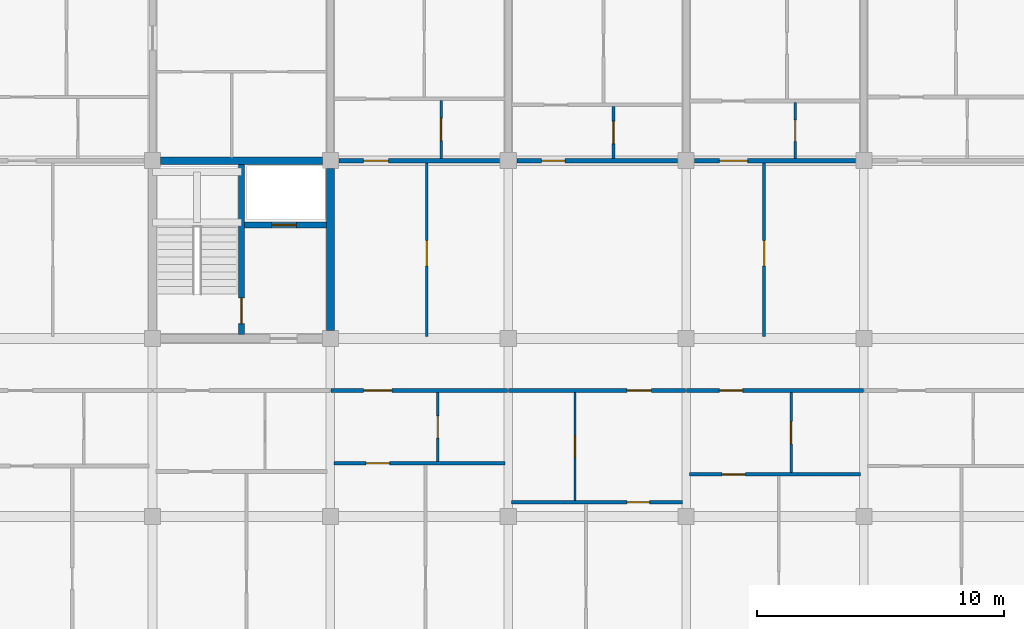
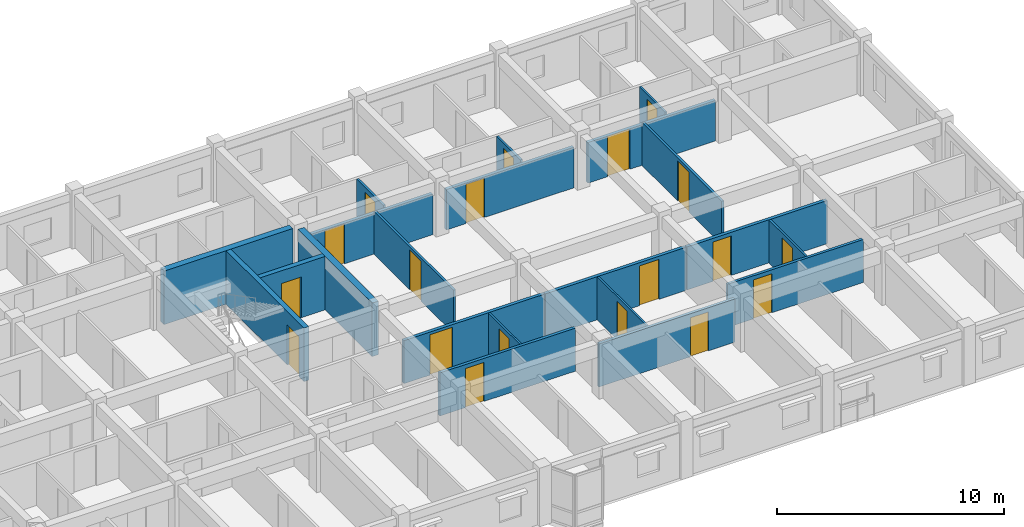
# One storey, part 109 of 124: 21 walls, 19 doors, 19 openings.
"""IFC4 building model written with IfcOpenShell, lengths in metres."""

import ifcopenshell
import ifcopenshell.guid

model = None  # the IFC model being written
_history = None  # IfcOwnerHistory: only IFC2X3 demands one
_inside = {}  # id of a spatial element -> (the spatial element, [elements in it])
_under = {}  # id of a project, library or spatial element -> (it, [spatial elements below it])
_declared = {}  # id of a project -> (the project, [libraries it declares])
_typed = {}  # id of a type object -> (the type object, [elements of that type])
_made_of = {}  # id of a material, layer set ... -> (it, [elements and type objects made of it])


def new_model(schema):
    """Start an empty IFC model of exactly this schema.

    Asked for "IFC4X3", IfcOpenShell would pick the latest addendum, in which some entities
    have other attributes; the version numbers below select the first issue.
    IFC2X3 requires an IfcOwnerHistory on every rooted entity: one is made here for all.
    """
    global model, _history
    if schema == "IFC4X3":
        model = ifcopenshell.file(schema_version=(4, 3, 0, 0))
    else:
        model = ifcopenshell.file(schema=schema)
    _inside.clear()
    _under.clear()
    _declared.clear()
    _typed.clear()
    _made_of.clear()
    _history = None
    if model.schema == "IFC2X3":
        org = make("IfcOrganization", Name="unknown")
        user = make(
            "IfcPersonAndOrganization",
            ThePerson=make("IfcPerson", FamilyName="unknown"),
            TheOrganization=org,
        )
        app = make(
            "IfcApplication",
            ApplicationDeveloper=org,
            Version="unknown",
            ApplicationFullName="unknown",
            ApplicationIdentifier="unknown",
        )
        _history = make(
            "IfcOwnerHistory",
            OwningUser=user,
            OwningApplication=app,
            ChangeAction="ADDED",
            CreationDate=0,
        )
    return model


def make(cls, **values):
    """One entity of the class cls with the attributes given. An attribute that is None is left unset."""
    return model.create_entity(
        cls, **{name: value for name, value in values.items() if value is not None}
    )


def rooted(cls, **values):
    """An entity with a GlobalId (a new one), such as an element, a storey or a relation."""
    return make(cls, GlobalId=ifcopenshell.guid.new(), OwnerHistory=_history, **values)


def si_unit(unit_type, name, prefix=None):
    """IfcSIUnit, for example si_unit("LENGTHUNIT", "METRE", prefix="MILLI")."""
    return make("IfcSIUnit", UnitType=unit_type, Prefix=prefix, Name=name)


def assignment(units):
    """IfcUnitAssignment: the units of a project."""
    return None if units is None else make("IfcUnitAssignment", Units=units)


def point(xyz):
    """IfcCartesianPoint."""
    return None if xyz is None else make("IfcCartesianPoint", Coordinates=xyz)


def direction(xyz):
    """IfcDirection."""
    return None if xyz is None else make("IfcDirection", DirectionRatios=xyz)


def frame(location, z_axis=None, x_axis=None):
    """IfcAxis2Placement3D, a coordinate frame: its origin and axes. An axis left out is left unset."""
    return make(
        "IfcAxis2Placement3D",
        Location=point(location),
        Axis=direction(z_axis),
        RefDirection=direction(x_axis),
    )


def frame_2d(location, x_axis=None):
    """IfcAxis2Placement2D, a coordinate frame in the plane: its origin and x axis."""
    return make(
        "IfcAxis2Placement2D", Location=point(location), RefDirection=direction(x_axis)
    )


def origin():
    """The frame at (0, 0, 0) with its axes left unset."""
    return frame((0.0, 0.0, 0.0))


def place(relative_to, where):
    """IfcLocalPlacement: puts the frame where relative to a parent placement (None: the world)."""
    return make(
        "IfcLocalPlacement", PlacementRelTo=relative_to, RelativePlacement=where
    )


def context(
    kind, dimensions, precision=None, world=None, true_north=None, identifier=None
):
    """IfcGeometricRepresentationContext, for example the 3D "Model" context."""
    return make(
        "IfcGeometricRepresentationContext",
        ContextIdentifier=identifier,
        ContextType=kind,
        CoordinateSpaceDimension=dimensions,
        Precision=precision,
        WorldCoordinateSystem=world,
        TrueNorth=true_north,
    )


def subcontext(parent, identifier, kind, view, scale=None):
    """IfcGeometricRepresentationSubContext, for example "Body" below "Model"."""
    return make(
        "IfcGeometricRepresentationSubContext",
        ContextIdentifier=identifier,
        ContextType=kind,
        ParentContext=parent,
        TargetScale=scale,
        TargetView=view,
    )


def project(units=None, contexts=None):
    """IfcProject with its units and contexts."""
    return rooted(
        "IfcProject",
        Name="project",
        RepresentationContexts=contexts,
        UnitsInContext=assignment(units),
    )


def spatial(cls, under=None, at=None, **own):
    """A site, building, storey or space (cls), placed at a placement, below another one or the project."""
    s = rooted(cls, ObjectPlacement=at, **own)
    if under is not None:
        _under.setdefault(under.id(), (under, []))[1].append(s)
    return s


def profile(cls, at=None, kind="AREA", **sizes):
    """A parametric profile (cls). Its sizes go by their IFC names, for example OverallWidth=200.0."""
    return make(cls, ProfileType=kind, Position=at, **sizes)


def rectangle(**sizes):
    """IfcRectangleProfileDef."""
    return profile("IfcRectangleProfileDef", **sizes)


def extrude(swept, where, along, depth):
    """IfcExtrudedAreaSolid: the profile swept, set in the frame where, extruded along a direction by depth."""
    return make(
        "IfcExtrudedAreaSolid",
        SweptArea=swept,
        Position=where,
        ExtrudedDirection=direction(along),
        Depth=depth,
    )


def shape(context_of_items, identifier, shape_type, items):
    """IfcShapeRepresentation: the items that make up one representation, for example the "Body"."""
    return make(
        "IfcShapeRepresentation",
        ContextOfItems=context_of_items,
        RepresentationIdentifier=identifier,
        RepresentationType=shape_type,
        Items=items,
    )


def material(Name=None, Category=None):
    """IfcMaterial."""
    return make("IfcMaterial", Name=Name, Category=Category)


def layer(
    of_material, thickness, ventilated=None, Name=None, Category=None, Priority=None
):
    """IfcMaterialLayer: one layer of a wall or slab, of a material (None: an air gap)."""
    return make(
        "IfcMaterialLayer",
        Material=of_material,
        LayerThickness=thickness,
        IsVentilated=ventilated,
        Name=Name,
        Category=Category,
        Priority=Priority,
    )


def layer_set(layers, Name=None):
    """IfcMaterialLayerSet."""
    return make("IfcMaterialLayerSet", MaterialLayers=layers, LayerSetName=Name)


def made_of(thing, what):
    """Note that an element or type object is made of a material, layer set ...; save() writes the relation."""
    if what is not None:
        _made_of.setdefault(what.id(), (what, []))[1].append(thing)
    return thing


def type_object(cls, material=None, **own):
    """A type object (cls), such as IfcWallType, which elements share."""
    return made_of(rooted(cls, **own), material)


def element(
    cls,
    number,
    at=None,
    inside=None,
    cuts=None,
    type_object=None,
    material=None,
    context=None,
    identifier="Body",
    shape_type=None,
    held_by="IfcProductDefinitionShape",
    body=None,
    shapes=None,
    **own,
):
    """One element of the class cls, such as IfcWall. Its Tag is "e" and its number.

    at: its placement. inside: the storey or other place that contains it. cuts: it is an
    opening in that element (IfcRelVoidsElement). A single representation is given by context,
    identifier, shape_type and body (its items); several are given by shapes. held_by: the class
    of the entity that holds the representations. save() writes the other relations.
    """
    e = rooted(cls, Tag="e%d" % number, ObjectPlacement=at, **own)
    if body is not None:
        shapes = [shape(context, identifier, shape_type, body)]
    if shapes is not None:
        e.Representation = make(held_by, Representations=shapes)
    if inside is not None:
        _inside.setdefault(inside.id(), (inside, []))[1].append(e)
    if cuts is not None:
        rooted(
            "IfcRelVoidsElement", RelatingBuildingElement=cuts, RelatedOpeningElement=e
        )
    if type_object is not None:
        _typed.setdefault(type_object.id(), (type_object, []))[1].append(e)
    return made_of(e, material)


def fill(opening, filler):
    """IfcRelFillsElement: the door or window that sits in an opening."""
    return rooted(
        "IfcRelFillsElement",
        RelatingOpeningElement=opening,
        RelatedBuildingElement=filler,
    )


def aggregate(whole, parts):
    """IfcRelAggregates: a whole, such as a stair, and the parts it consists of."""
    return rooted("IfcRelAggregates", RelatingObject=whole, RelatedObjects=parts)


def save(model, path):
    """Write the relations noted so far, then the file.

    IfcRelAggregates (storeys below a building ...), IfcRelContainedInSpatialStructure (elements
    in a storey), IfcRelDefinesByType, IfcRelAssociatesMaterial and IfcRelDeclares: one each for
    every whole, place, type object, material and project.
    """
    for whole, parts in _under.values():
        aggregate(whole, parts)
    for where, things in _inside.values():
        rooted(
            "IfcRelContainedInSpatialStructure",
            RelatedElements=things,
            RelatingStructure=where,
        )
    for kind, things in _typed.values():
        rooted("IfcRelDefinesByType", RelatedObjects=things, RelatingType=kind)
    for what, things in _made_of.values():
        rooted("IfcRelAssociatesMaterial", RelatedObjects=things, RelatingMaterial=what)
    for by, libraries in _declared.values():
        rooted("IfcRelDeclares", RelatingContext=by, RelatedDefinitions=libraries)
    model.write(path)


model = new_model("IFC4")

# Units and contexts
model_context = context("Model", 3, precision=1e-05, world=origin(), true_north=direction((0.0, 1.0)))
body_context = subcontext(model_context, "Body", "Model", "MODEL_VIEW")
ifc_project = project(units=[si_unit("LENGTHUNIT", "METRE"), si_unit("AREAUNIT", "SQUARE_METRE"), si_unit("VOLUMEUNIT", "CUBIC_METRE"), si_unit("PLANEANGLEUNIT", "RADIAN"), si_unit("MASSUNIT", "GRAM", prefix="KILO"), si_unit("THERMODYNAMICTEMPERATUREUNIT", "KELVIN"), si_unit("POWERUNIT", "WATT")], contexts=[model_context])

# Site, building, storey
site_placement = place(None, origin())
site = spatial("IfcSite", under=ifc_project, at=site_placement, CompositionType="ELEMENT")
building_placement = place(site_placement, origin())
building = spatial("IfcBuilding", under=site, at=building_placement, Name="Tavuni Mirador Residences", CompositionType="ELEMENT")
storey_placement = place(building_placement, frame((0.0, 0.0, 7.64990234375)))
storey = spatial("IfcBuildingStorey", under=building, at=storey_placement, Name="L02", CompositionType="ELEMENT", Elevation=7.64990234375)

# Wall, opening, door
ifc_material_1 = material(Name="Precast concrete C40/50", Category="concrete")
ifc_layer_1 = layer(ifc_material_1, 0.25, Name="Precast concrete C40/50", Category="concrete")
ifc_layer_set_1 = layer_set([ifc_layer_1], Name="Precast concrete C40/50")
wall_type_1 = type_object("IfcWallType", Name="WT-COR250", PredefinedType="SHEAR", material=ifc_layer_set_1)
wall_1_placement = place(storey_placement, frame((43.199951171875, 158.56005859375, 0.0), z_axis=(0.0, 0.0, 1.0), x_axis=(0.0, 1.0, 0.0)))
wall_1 = element("IfcWall", 1, at=wall_1_placement, inside=storey, type_object=wall_type_1, Name="CWALL-C6-L02-MID", PredefinedType="SHEAR", context=body_context, shape_type="SweptSolid", body=[
    extrude(rectangle(XDim=6.8798828125, YDim=0.25, at=frame_2d((3.43994140625, 0.0))), origin(), (0.0, 0.0, 1.0), 2.885009765625),
])
opening_1_placement = place(wall_1_placement, frame((0.43994140625, 0.0, 0.0)))
opening_1 = element("IfcOpeningElement", 2, at=opening_1_placement, cuts=wall_1, Name="Opening D-01", PredefinedType="OPENING", context=body_context, shape_type="SweptSolid", body=[
    extrude(rectangle(XDim=1.050048828125, YDim=2.14990234375, at=frame_2d((0.52490234375, 1.074951171875))), frame((0.0, 0.135009765625, 0.0), z_axis=(0.0, -1.0, 0.0), x_axis=(1.0, 0.0, 0.0)), (0.0, 0.0, 1.0), 0.27001953125),
])
ifc_material_2 = material(Name="Solid core iroko timber", Category="wood")
door_type_1 = type_object("IfcDoorType", Name="DT-ST1050", OperationType="NOTDEFINED", PredefinedType="DOOR", material=ifc_material_2)
door_1_placement = place(opening_1_placement, origin())
door_1 = element("IfcDoor", 3, at=door_1_placement, inside=storey, type_object=door_type_1, Name="DR-2226", OperationType="SINGLE_SWING_RIGHT", OverallHeight=2.14990234375, OverallWidth=1.050048828125, PredefinedType="DOOR", context=body_context, shape_type="SweptSolid", body=[
    extrude(rectangle(XDim=1.050048828125, YDim=2.14990234375, at=frame_2d((0.52490234375, 1.074951171875))), frame((0.0, 0.02490234375, 0.0), z_axis=(0.0, -1.0, 0.0), x_axis=(1.0, 0.0, 0.0)), (0.0, 0.0, 1.0), 0.050048828125),
])
fill(opening_1, door_1)

wall_2_placement = place(storey_placement, frame((43.324951171875, 163.0, 0.0), z_axis=(0.0, 0.0, 1.0), x_axis=(1.0, 0.0, 0.0)))
wall_2 = element("IfcWall", 4, at=wall_2_placement, inside=storey, type_object=wall_type_1, Name="CWALL-C6-L02-SHF", PredefinedType="SHEAR", context=body_context, shape_type="SweptSolid", body=[
    extrude(rectangle(XDim=3.31494140625, YDim=0.25, at=frame_2d((1.657470703125, 0.0))), origin(), (0.0, 0.0, 1.0), 2.885009765625),
])
opening_2_placement = place(wall_2_placement, frame((1.10009765625, 0.0, 0.0)))
opening_2 = element("IfcOpeningElement", 5, at=opening_2_placement, cuts=wall_2, Name="Opening LD-02", PredefinedType="OPENING", context=body_context, shape_type="SweptSolid", body=[
    extrude(rectangle(XDim=1.0, YDim=2.199951171875, at=frame_2d((0.5, 1.10009765625))), frame((0.0, 0.135009765625, 0.0), z_axis=(0.0, -1.0, 0.0), x_axis=(1.0, 0.0, 0.0)), (0.0, 0.0, 1.0), 0.27001953125),
])
ifc_material_3 = material(Name="Structural steel S355", Category="steel")
door_type_2 = type_object("IfcDoorType", Name="DT-LD-PAX", OperationType="SLIDING_TO_LEFT", PredefinedType="DOOR", material=ifc_material_3)
door_2_placement = place(opening_2_placement, origin())
door_2 = element("IfcDoor", 6, at=door_2_placement, inside=storey, type_object=door_type_2, Name="Lift landing door PL-C1 L02", OperationType="SLIDING_TO_LEFT", OverallHeight=2.199951171875, OverallWidth=1.0, PredefinedType="DOOR", context=body_context, shape_type="SweptSolid", body=[
    extrude(rectangle(XDim=1.0, YDim=2.199951171875, at=frame_2d((0.5, 1.10009765625))), frame((0.0, 0.02490234375, 0.0), z_axis=(0.0, -1.0, 0.0), x_axis=(1.0, 0.0, 0.0)), (0.0, 0.0, 1.0), 0.050048828125),
])
fill(opening_2, door_2)

# Walls
ifc_layer_2 = layer(ifc_material_1, 0.320068359375, Name="Precast concrete C40/50", Category="concrete")
ifc_layer_set_2 = layer_set([ifc_layer_2], Name="Precast concrete C40/50")
wall_type_2 = type_object("IfcWallType", Name="WT-COR320", PredefinedType="SHEAR", material=ifc_layer_set_2)
wall_3_placement = place(storey_placement, frame((39.925048828125, 165.60009765625, 0.0), z_axis=(0.0, 0.0, 1.0), x_axis=(1.0, 0.0, 0.0)))
element("IfcWall", 7, at=wall_3_placement, inside=storey, type_object=wall_type_2, Name="CWALL-C6-L02-N", PredefinedType="SHEAR", context=body_context, shape_type="SweptSolid", body=[
    extrude(rectangle(XDim=6.550048828125, YDim=0.320068359375, at=frame_2d((3.27490234375, 0.0))), origin(), (0.0, 0.0, 1.0), 2.885009765625),
])
wall_4_placement = place(storey_placement, frame((46.800048828125, 158.72509765625, 0.0), z_axis=(0.0, 0.0, 1.0), x_axis=(0.0, 1.0, 0.0)))
element("IfcWall", 8, at=wall_4_placement, inside=storey, type_object=wall_type_2, Name="CWALL-C6-L02-E", PredefinedType="SHEAR", context=body_context, shape_type="SweptSolid", body=[
    extrude(rectangle(XDim=6.5498046875, YDim=0.320068359375, at=frame_2d((3.27490234375, 0.0))), origin(), (0.0, 0.0, 1.0), 2.885009765625),
])

# Wall, opening, door
ifc_layer_3 = layer(ifc_material_1, 0.1650390625, Name="Precast concrete C40/50", Category="concrete")
ifc_layer_set_3 = layer_set([ifc_layer_3], Name="Precast concrete C40/50")
wall_type_3 = type_object("IfcWallType", Name="WT-CORR165", PredefinedType="PARTITIONING", material=ifc_layer_set_3)
wall_5_placement = place(storey_placement, frame((46.820068359375, 156.300048828125, 0.0), z_axis=(0.0, 0.0, 1.0), x_axis=(1.0, 0.0, 0.0)))
wall_5 = element("IfcWall", 9, at=wall_5_placement, inside=storey, type_object=wall_type_3, Name="CORW-BLK-C-L02-0-05", PredefinedType="PARTITIONING", context=body_context, shape_type="SweptSolid", body=[
    extrude(rectangle(XDim=7.159912109375, YDim=0.1650390625, at=frame_2d((3.580078125, 0.0))), origin(), (0.0, 0.0, 1.0), 2.320068359375),
])
opening_3_placement = place(wall_5_placement, frame((1.330078125, 0.0, 0.0)))
opening_3 = element("IfcOpeningElement", 10, at=opening_3_placement, cuts=wall_5, Name="Opening D-20", PredefinedType="OPENING", context=body_context, shape_type="SweptSolid", body=[
    extrude(rectangle(XDim=1.139892578125, YDim=2.179931640625, at=frame_2d((0.56982421875, 1.08984375))), frame((0.0, 0.092529296875, 0.0), z_axis=(0.0, -1.0, 0.0), x_axis=(1.0, 0.0, 0.0)), (0.0, 0.0, 1.0), 0.18505859375),
])
door_type_3 = type_object("IfcDoorType", Name="DT-FD60-1140", OperationType="NOTDEFINED", PredefinedType="DOOR", material=ifc_material_2)
door_3_placement = place(opening_3_placement, origin())
door_3 = element("IfcDoor", 11, at=door_3_placement, inside=storey, type_object=door_type_3, Name="DR-2648", OperationType="SINGLE_SWING_LEFT", OverallHeight=2.179931640625, OverallWidth=1.139892578125, PredefinedType="DOOR", context=body_context, shape_type="SweptSolid", body=[
    extrude(rectangle(XDim=1.139892578125, YDim=2.179931640625, at=frame_2d((0.56982421875, 1.08984375))), frame((0.0, 0.02490234375, 0.0), z_axis=(0.0, -1.0, 0.0), x_axis=(1.0, 0.0, 0.0)), (0.0, 0.0, 1.0), 0.050048828125),
])
fill(opening_3, door_3)

wall_6_placement = place(storey_placement, frame((54.02001953125, 156.300048828125, 0.0), z_axis=(0.0, 0.0, 1.0), x_axis=(1.0, 0.0, 0.0)))
wall_6 = element("IfcWall", 12, at=wall_6_placement, inside=storey, type_object=wall_type_3, Name="CORW-BLK-C-L02-0-06", PredefinedType="PARTITIONING", context=body_context, shape_type="SweptSolid", body=[
    extrude(rectangle(XDim=7.159912109375, YDim=0.1650390625, at=frame_2d((3.580078125, 0.0))), origin(), (0.0, 0.0, 1.0), 2.320068359375),
])
opening_4_placement = place(wall_6_placement, frame((4.780029296875, 0.0, 0.0)))
opening_4 = element("IfcOpeningElement", 13, at=opening_4_placement, cuts=wall_6, Name="Opening D-03", PredefinedType="OPENING", context=body_context, shape_type="SweptSolid", body=[
    extrude(rectangle(XDim=1.0, YDim=2.14990234375, at=frame_2d((0.5, 1.074951171875))), frame((0.0, 0.092529296875, 0.0), z_axis=(0.0, -1.0, 0.0), x_axis=(1.0, 0.0, 0.0)), (0.0, 0.0, 1.0), 0.18505859375),
])
door_type_4 = type_object("IfcDoorType", Name="DT-FD60-1000", OperationType="NOTDEFINED", PredefinedType="DOOR", material=ifc_material_2)
door_4_placement = place(opening_4_placement, origin())
door_4 = element("IfcDoor", 14, at=door_4_placement, inside=storey, type_object=door_type_4, Name="DR-2649", OperationType="SINGLE_SWING_RIGHT", OverallHeight=2.14990234375, OverallWidth=1.0, PredefinedType="DOOR", context=body_context, shape_type="SweptSolid", body=[
    extrude(rectangle(XDim=1.0, YDim=2.14990234375, at=frame_2d((0.5, 1.074951171875))), frame((0.0, 0.02490234375, 0.0), z_axis=(0.0, -1.0, 0.0), x_axis=(1.0, 0.0, 0.0)), (0.0, 0.0, 1.0), 0.050048828125),
])
fill(opening_4, door_4)

wall_7_placement = place(storey_placement, frame((61.219970703125, 156.300048828125, 0.0), z_axis=(0.0, 0.0, 1.0), x_axis=(1.0, 0.0, 0.0)))
wall_7 = element("IfcWall", 15, at=wall_7_placement, inside=storey, type_object=wall_type_3, Name="CORW-BLK-C-L02-0-07", PredefinedType="PARTITIONING", context=body_context, shape_type="SweptSolid", body=[
    extrude(rectangle(XDim=7.159912109375, YDim=0.1650390625, at=frame_2d((3.580078125, 0.0))), origin(), (0.0, 0.0, 1.0), 2.320068359375),
])
opening_5_placement = place(wall_7_placement, frame((1.330078125, 0.0, 0.0)))
opening_5 = element("IfcOpeningElement", 16, at=opening_5_placement, cuts=wall_7, Name="Opening D-19", PredefinedType="OPENING", context=body_context, shape_type="SweptSolid", body=[
    extrude(rectangle(XDim=0.93994140625, YDim=2.1201171875, at=frame_2d((0.469970703125, 1.06005859375))), frame((0.0, 0.092529296875, 0.0), z_axis=(0.0, -1.0, 0.0), x_axis=(1.0, 0.0, 0.0)), (0.0, 0.0, 1.0), 0.18505859375),
])
door_type_5 = type_object("IfcDoorType", Name="DT-FD60-940", OperationType="NOTDEFINED", PredefinedType="DOOR", material=ifc_material_2)
door_5_placement = place(opening_5_placement, origin())
door_5 = element("IfcDoor", 17, at=door_5_placement, inside=storey, type_object=door_type_5, Name="DR-2650", OperationType="SINGLE_SWING_LEFT", OverallHeight=2.1201171875, OverallWidth=0.93994140625, PredefinedType="DOOR", context=body_context, shape_type="SweptSolid", body=[
    extrude(rectangle(XDim=0.93994140625, YDim=2.1201171875, at=frame_2d((0.469970703125, 1.06005859375))), frame((0.0, 0.02490234375, 0.0), z_axis=(0.0, -1.0, 0.0), x_axis=(1.0, 0.0, 0.0)), (0.0, 0.0, 1.0), 0.050048828125),
])
fill(opening_5, door_5)

wall_8_placement = place(storey_placement, frame((47.14990234375, 165.60009765625, 0.0), z_axis=(0.0, 0.0, 1.0), x_axis=(1.0, 0.0, 0.0)))
wall_8 = element("IfcWall", 18, at=wall_8_placement, inside=storey, type_object=wall_type_3, Name="CORW-BLK-C-L02-1-05", PredefinedType="PARTITIONING", context=body_context, shape_type="SweptSolid", body=[
    extrude(rectangle(XDim=6.5, YDim=0.1650390625, at=frame_2d((3.25, 0.0))), origin(), (0.0, 0.0, 1.0), 2.18505859375),
])
opening_6_placement = place(wall_8_placement, frame((1.0, 0.0, 0.0)))
opening_6 = element("IfcOpeningElement", 19, at=opening_6_placement, cuts=wall_8, Name="Opening D-03", PredefinedType="OPENING", context=body_context, shape_type="SweptSolid", body=[
    extrude(rectangle(XDim=1.0, YDim=2.14990234375, at=frame_2d((0.5, 1.074951171875))), frame((0.0, 0.092529296875, 0.0), z_axis=(0.0, -1.0, 0.0), x_axis=(1.0, 0.0, 0.0)), (0.0, 0.0, 1.0), 0.18505859375),
])
door_6_placement = place(opening_6_placement, origin())
door_6 = element("IfcDoor", 20, at=door_6_placement, inside=storey, type_object=door_type_4, Name="DR-2655", OperationType="SINGLE_SWING_RIGHT", OverallHeight=2.14990234375, OverallWidth=1.0, PredefinedType="DOOR", context=body_context, shape_type="SweptSolid", body=[
    extrude(rectangle(XDim=1.0, YDim=2.14990234375, at=frame_2d((0.5, 1.074951171875))), frame((0.0, 0.02490234375, 0.0), z_axis=(0.0, -1.0, 0.0), x_axis=(1.0, 0.0, 0.0)), (0.0, 0.0, 1.0), 0.050048828125),
])
fill(opening_6, door_6)

wall_9_placement = place(storey_placement, frame((54.35009765625, 165.60009765625, 0.0), z_axis=(0.0, 0.0, 1.0), x_axis=(1.0, 0.0, 0.0)))
wall_9 = element("IfcWall", 21, at=wall_9_placement, inside=storey, type_object=wall_type_3, Name="CORW-BLK-C-L02-1-06", PredefinedType="PARTITIONING", context=body_context, shape_type="SweptSolid", body=[
    extrude(rectangle(XDim=6.5, YDim=0.1650390625, at=frame_2d((3.25, 0.0))), origin(), (0.0, 0.0, 1.0), 2.18505859375),
])
opening_7_placement = place(wall_9_placement, frame((1.0, 0.0, 0.0)))
opening_7 = element("IfcOpeningElement", 22, at=opening_7_placement, cuts=wall_9, Name="Opening D-19", PredefinedType="OPENING", context=body_context, shape_type="SweptSolid", body=[
    extrude(rectangle(XDim=0.93994140625, YDim=2.1201171875, at=frame_2d((0.469970703125, 1.06005859375))), frame((0.0, 0.092529296875, 0.0), z_axis=(0.0, -1.0, 0.0), x_axis=(1.0, 0.0, 0.0)), (0.0, 0.0, 1.0), 0.18505859375),
])
door_7_placement = place(opening_7_placement, origin())
door_7 = element("IfcDoor", 23, at=door_7_placement, inside=storey, type_object=door_type_5, Name="DR-2656", OperationType="SINGLE_SWING_LEFT", OverallHeight=2.1201171875, OverallWidth=0.93994140625, PredefinedType="DOOR", context=body_context, shape_type="SweptSolid", body=[
    extrude(rectangle(XDim=0.93994140625, YDim=2.1201171875, at=frame_2d((0.469970703125, 1.06005859375))), frame((0.0, 0.02490234375, 0.0), z_axis=(0.0, -1.0, 0.0), x_axis=(1.0, 0.0, 0.0)), (0.0, 0.0, 1.0), 0.050048828125),
])
fill(opening_7, door_7)

wall_10_placement = place(storey_placement, frame((61.550048828125, 165.60009765625, 0.0), z_axis=(0.0, 0.0, 1.0), x_axis=(1.0, 0.0, 0.0)))
wall_10 = element("IfcWall", 24, at=wall_10_placement, inside=storey, type_object=wall_type_3, Name="CORW-BLK-C-L02-1-07", PredefinedType="PARTITIONING", context=body_context, shape_type="SweptSolid", body=[
    extrude(rectangle(XDim=6.5, YDim=0.1650390625, at=frame_2d((3.25, 0.0))), origin(), (0.0, 0.0, 1.0), 2.18505859375),
])
opening_8_placement = place(wall_10_placement, frame((1.0, 0.0, 0.0)))
opening_8 = element("IfcOpeningElement", 25, at=opening_8_placement, cuts=wall_10, Name="Opening D-20", PredefinedType="OPENING", context=body_context, shape_type="SweptSolid", body=[
    extrude(rectangle(XDim=1.139892578125, YDim=2.179931640625, at=frame_2d((0.56982421875, 1.08984375))), frame((0.0, 0.092529296875, 0.0), z_axis=(0.0, -1.0, 0.0), x_axis=(1.0, 0.0, 0.0)), (0.0, 0.0, 1.0), 0.18505859375),
])
door_8_placement = place(opening_8_placement, origin())
door_8 = element("IfcDoor", 26, at=door_8_placement, inside=storey, type_object=door_type_3, Name="DR-2657", OperationType="SINGLE_SWING_RIGHT", OverallHeight=2.179931640625, OverallWidth=1.139892578125, PredefinedType="DOOR", context=body_context, shape_type="SweptSolid", body=[
    extrude(rectangle(XDim=1.139892578125, YDim=2.179931640625, at=frame_2d((0.56982421875, 1.08984375))), frame((0.0, 0.02490234375, 0.0), z_axis=(0.0, -1.0, 0.0), x_axis=(1.0, 0.0, 0.0)), (0.0, 0.0, 1.0), 0.050048828125),
])
fill(opening_8, door_8)

ifc_material_4 = material(Name="Acoustic gypsum and concrete block partition", Category="concrete")
ifc_layer_4 = layer(ifc_material_4, 0.094970703125, Name="Acoustic gypsum and concrete block partition", Category="concrete")
ifc_layer_set_4 = layer_set([ifc_layer_4], Name="Acoustic gypsum and concrete block partition")
wall_type_4 = type_object("IfcWallType", Name="WT-PART095", PredefinedType="PARTITIONING", material=ifc_layer_set_4)
wall_11_placement = place(storey_placement, frame((51.14990234375, 153.419921875, 0.0), z_axis=(0.0, 0.0, 1.0), x_axis=(0.0, 1.0, 0.0)))
wall_11 = element("IfcWall", 27, at=wall_11_placement, inside=storey, type_object=wall_type_4, Name="PW-BLK-C-L02-S05-IN1", PredefinedType="PARTITIONING", context=body_context, shape_type="SweptSolid", body=[
    extrude(rectangle(XDim=2.7900390625, YDim=0.094970703125, at=frame_2d((1.39501953125, 0.0))), origin(), (0.0, 0.0, 1.0), 2.320068359375),
])
opening_9_placement = place(wall_11_placement, frame((0.945068359375, 0.0, 0.0)))
opening_9 = element("IfcOpeningElement", 28, at=opening_9_placement, cuts=wall_11, Name="Opening D-09", PredefinedType="OPENING", context=body_context, shape_type="SweptSolid", body=[
    extrude(rectangle(XDim=0.89990234375, YDim=2.050048828125, at=frame_2d((0.449951171875, 1.02490234375))), frame((0.0, 0.0576171875, 0.0), z_axis=(0.0, -1.0, 0.0), x_axis=(1.0, 0.0, 0.0)), (0.0, 0.0, 1.0), 0.114990234375),
])
door_type_6 = type_object("IfcDoorType", Name="DT-WC900", OperationType="NOTDEFINED", PredefinedType="DOOR", material=ifc_material_2)
door_9_placement = place(opening_9_placement, origin())
door_9 = element("IfcDoor", 29, at=door_9_placement, inside=storey, type_object=door_type_6, Name="DR-3771", OperationType="SINGLE_SWING_LEFT", OverallHeight=2.050048828125, OverallWidth=0.89990234375, PredefinedType="DOOR", context=body_context, shape_type="SweptSolid", body=[
    extrude(rectangle(XDim=0.89990234375, YDim=2.050048828125, at=frame_2d((0.449951171875, 1.02490234375))), frame((0.0, 0.02490234375, 0.0), z_axis=(0.0, -1.0, 0.0), x_axis=(1.0, 0.0, 0.0)), (0.0, 0.0, 1.0), 0.050048828125),
])
fill(opening_9, door_9)

wall_12_placement = place(storey_placement, frame((56.699951171875, 151.840087890625, 0.0), z_axis=(0.0, 0.0, 1.0), x_axis=(0.0, 1.0, 0.0)))
wall_12 = element("IfcWall", 30, at=wall_12_placement, inside=storey, type_object=wall_type_4, Name="PW-BLK-C-L02-S06-IN1", PredefinedType="PARTITIONING", context=body_context, shape_type="SweptSolid", body=[
    extrude(rectangle(XDim=4.369873046875, YDim=0.094970703125, at=frame_2d((2.18505859375, 0.0))), origin(), (0.0, 0.0, 1.0), 2.320068359375),
])
opening_10_placement = place(wall_12_placement, frame((1.75, 0.0, 0.0)))
opening_10 = element("IfcOpeningElement", 31, at=opening_10_placement, cuts=wall_12, Name="Opening D-10", PredefinedType="OPENING", context=body_context, shape_type="SweptSolid", body=[
    extrude(rectangle(XDim=0.8701171875, YDim=2.050048828125, at=frame_2d((0.43505859375, 1.02490234375))), frame((0.0, 0.0576171875, 0.0), z_axis=(0.0, -1.0, 0.0), x_axis=(1.0, 0.0, 0.0)), (0.0, 0.0, 1.0), 0.114990234375),
])
door_type_7 = type_object("IfcDoorType", Name="DT-WC870", OperationType="NOTDEFINED", PredefinedType="DOOR", material=ifc_material_2)
door_10_placement = place(opening_10_placement, origin())
door_10 = element("IfcDoor", 32, at=door_10_placement, inside=storey, type_object=door_type_7, Name="DR-3777", OperationType="SINGLE_SWING_RIGHT", OverallHeight=2.050048828125, OverallWidth=0.8701171875, PredefinedType="DOOR", context=body_context, shape_type="SweptSolid", body=[
    extrude(rectangle(XDim=0.8701171875, YDim=2.050048828125, at=frame_2d((0.43505859375, 1.02490234375))), frame((0.0, 0.02490234375, 0.0), z_axis=(0.0, -1.0, 0.0), x_axis=(1.0, 0.0, 0.0)), (0.0, 0.0, 1.0), 0.050048828125),
])
fill(opening_10, door_10)

wall_13_placement = place(storey_placement, frame((65.6201171875, 165.68994140625, 0.0), z_axis=(0.0, 0.0, 1.0), x_axis=(0.0, 1.0, 0.0)))
wall_13 = element("IfcWall", 33, at=wall_13_placement, inside=storey, type_object=wall_type_4, Name="PW-BLK-C-L02-N07-IN1", PredefinedType="PARTITIONING", context=body_context, shape_type="SweptSolid", body=[
    extrude(rectangle(XDim=2.260009765625, YDim=0.094970703125, at=frame_2d((1.1298828125, 0.0))), origin(), (0.0, 0.0, 1.0), 2.320068359375),
])
opening_11_placement = place(wall_13_placement, frame((0.695068359375, 0.0, 0.0)))
opening_11 = element("IfcOpeningElement", 34, at=opening_11_placement, cuts=wall_13, Name="Opening D-10", PredefinedType="OPENING", context=body_context, shape_type="SweptSolid", body=[
    extrude(rectangle(XDim=0.8701171875, YDim=2.050048828125, at=frame_2d((0.43505859375, 1.02490234375))), frame((0.0, 0.0576171875, 0.0), z_axis=(0.0, -1.0, 0.0), x_axis=(1.0, 0.0, 0.0)), (0.0, 0.0, 1.0), 0.114990234375),
])
door_11_placement = place(opening_11_placement, origin())
door_11 = element("IfcDoor", 35, at=door_11_placement, inside=storey, type_object=door_type_7, Name="DR-3787", OperationType="SINGLE_SWING_RIGHT", OverallHeight=2.050048828125, OverallWidth=0.8701171875, PredefinedType="DOOR", context=body_context, shape_type="SweptSolid", body=[
    extrude(rectangle(XDim=0.8701171875, YDim=2.050048828125, at=frame_2d((0.43505859375, 1.02490234375))), frame((0.0, 0.02490234375, 0.0), z_axis=(0.0, -1.0, 0.0), x_axis=(1.0, 0.0, 0.0)), (0.0, 0.0, 1.0), 0.050048828125),
])
fill(opening_11, door_11)

ifc_layer_5 = layer(ifc_material_4, 0.10498046875, Name="Acoustic gypsum and concrete block partition", Category="concrete")
ifc_layer_set_5 = layer_set([ifc_layer_5], Name="Acoustic gypsum and concrete block partition")
wall_type_5 = type_object("IfcWallType", Name="WT-PART105", PredefinedType="PARTITIONING", material=ifc_layer_set_5)
wall_14_placement = place(storey_placement, frame((51.280029296875, 165.68994140625, 0.0), z_axis=(0.0, 0.0, 1.0), x_axis=(0.0, 1.0, 0.0)))
wall_14 = element("IfcWall", 36, at=wall_14_placement, inside=storey, type_object=wall_type_5, Name="PW-BLK-C-L02-N05-IN1", PredefinedType="PARTITIONING", context=body_context, shape_type="SweptSolid", body=[
    extrude(rectangle(XDim=2.340087890625, YDim=0.10498046875, at=frame_2d((1.169921875, 0.0))), origin(), (0.0, 0.0, 1.0), 2.320068359375),
])
opening_12_placement = place(wall_14_placement, frame((0.719970703125, 0.0, 0.0)))
opening_12 = element("IfcOpeningElement", 37, at=opening_12_placement, cuts=wall_14, Name="Opening D-09", PredefinedType="OPENING", context=body_context, shape_type="SweptSolid", body=[
    extrude(rectangle(XDim=0.89990234375, YDim=2.050048828125, at=frame_2d((0.449951171875, 1.02490234375))), frame((0.0, 0.0625, 0.0), z_axis=(0.0, -1.0, 0.0), x_axis=(1.0, 0.0, 0.0)), (0.0, 0.0, 1.0), 0.125),
])
door_12_placement = place(opening_12_placement, origin())
door_12 = element("IfcDoor", 38, at=door_12_placement, inside=storey, type_object=door_type_6, Name="DR-3774", OperationType="SINGLE_SWING_LEFT", OverallHeight=2.050048828125, OverallWidth=0.89990234375, PredefinedType="DOOR", context=body_context, shape_type="SweptSolid", body=[
    extrude(rectangle(XDim=0.89990234375, YDim=2.050048828125, at=frame_2d((0.449951171875, 1.02490234375))), frame((0.0, 0.02490234375, 0.0), z_axis=(0.0, -1.0, 0.0), x_axis=(1.0, 0.0, 0.0)), (0.0, 0.0, 1.0), 0.050048828125),
])
fill(opening_12, door_12)

wall_15_placement = place(storey_placement, frame((58.260009765625, 165.68994140625, 0.0), z_axis=(0.0, 0.0, 1.0), x_axis=(0.0, 1.0, 0.0)))
wall_15 = element("IfcWall", 39, at=wall_15_placement, inside=storey, type_object=wall_type_5, Name="PW-BLK-C-L02-N06-IN1", PredefinedType="PARTITIONING", context=body_context, shape_type="SweptSolid", body=[
    extrude(rectangle(XDim=2.10009765625, YDim=0.10498046875, at=frame_2d((1.050048828125, 0.0))), origin(), (0.0, 0.0, 1.0), 2.320068359375),
])
opening_13_placement = place(wall_15_placement, frame((0.60009765625, 0.0, 0.0)))
opening_13 = element("IfcOpeningElement", 40, at=opening_13_placement, cuts=wall_15, Name="Opening D-09", PredefinedType="OPENING", context=body_context, shape_type="SweptSolid", body=[
    extrude(rectangle(XDim=0.89990234375, YDim=2.050048828125, at=frame_2d((0.449951171875, 1.02490234375))), frame((0.0, 0.0625, 0.0), z_axis=(0.0, -1.0, 0.0), x_axis=(1.0, 0.0, 0.0)), (0.0, 0.0, 1.0), 0.125),
])
door_13_placement = place(opening_13_placement, origin())
door_13 = element("IfcDoor", 41, at=door_13_placement, inside=storey, type_object=door_type_6, Name="DR-3780", OperationType="SINGLE_SWING_LEFT", OverallHeight=2.050048828125, OverallWidth=0.89990234375, PredefinedType="DOOR", context=body_context, shape_type="SweptSolid", body=[
    extrude(rectangle(XDim=0.89990234375, YDim=2.050048828125, at=frame_2d((0.449951171875, 1.02490234375))), frame((0.0, 0.02490234375, 0.0), z_axis=(0.0, -1.0, 0.0), x_axis=(1.0, 0.0, 0.0)), (0.0, 0.0, 1.0), 0.050048828125),
])
fill(opening_13, door_13)

wall_16_placement = place(storey_placement, frame((65.449951171875, 152.969970703125, 0.0), z_axis=(0.0, 0.0, 1.0), x_axis=(0.0, 1.0, 0.0)))
wall_16 = element("IfcWall", 42, at=wall_16_placement, inside=storey, type_object=wall_type_5, Name="PW-BLK-C-L02-S07-IN1", PredefinedType="PARTITIONING", context=body_context, shape_type="SweptSolid", body=[
    extrude(rectangle(XDim=3.239990234375, YDim=0.10498046875, at=frame_2d((1.6201171875, 0.0))), origin(), (0.0, 0.0, 1.0), 2.320068359375),
])
opening_14_placement = place(wall_16_placement, frame((1.169921875, 0.0, 0.0)))
opening_14 = element("IfcOpeningElement", 43, at=opening_14_placement, cuts=wall_16, Name="Opening D-09", PredefinedType="OPENING", context=body_context, shape_type="SweptSolid", body=[
    extrude(rectangle(XDim=0.89990234375, YDim=2.050048828125, at=frame_2d((0.449951171875, 1.02490234375))), frame((0.0, 0.0625, 0.0), z_axis=(0.0, -1.0, 0.0), x_axis=(1.0, 0.0, 0.0)), (0.0, 0.0, 1.0), 0.125),
])
door_14_placement = place(opening_14_placement, origin())
door_14 = element("IfcDoor", 44, at=door_14_placement, inside=storey, type_object=door_type_6, Name="DR-3784", OperationType="SINGLE_SWING_LEFT", OverallHeight=2.050048828125, OverallWidth=0.89990234375, PredefinedType="DOOR", context=body_context, shape_type="SweptSolid", body=[
    extrude(rectangle(XDim=0.89990234375, YDim=2.050048828125, at=frame_2d((0.449951171875, 1.02490234375))), frame((0.0, 0.02490234375, 0.0), z_axis=(0.0, -1.0, 0.0), x_axis=(1.0, 0.0, 0.0)), (0.0, 0.0, 1.0), 0.050048828125),
])
fill(opening_14, door_14)

ifc_layer_6 = layer(ifc_material_4, 0.114990234375, Name="Acoustic gypsum and concrete block partition", Category="concrete")
ifc_layer_set_6 = layer_set([ifc_layer_6], Name="Acoustic gypsum and concrete block partition")
wall_type_6 = type_object("IfcWallType", Name="WT-PART115", PredefinedType="PARTITIONING", material=ifc_layer_set_6)
wall_17_placement = place(storey_placement, frame((50.699951171875, 158.489990234375, 0.0), z_axis=(0.0, 0.0, 1.0), x_axis=(0.0, 1.0, 0.0)))
wall_17 = element("IfcWall", 45, at=wall_17_placement, inside=storey, type_object=wall_type_6, Name="PW-SPN-BLK-C-L02-05", PredefinedType="PARTITIONING", context=body_context, shape_type="SweptSolid", body=[
    extrude(rectangle(XDim=7.02001953125, YDim=0.114990234375, at=frame_2d((3.510009765625, 0.0))), origin(), (0.0, 0.0, 1.0), 2.320068359375),
])
opening_15_placement = place(wall_17_placement, frame((2.85009765625, 0.0, 0.0)))
opening_15 = element("IfcOpeningElement", 46, at=opening_15_placement, cuts=wall_17, Name="Opening D-13", PredefinedType="OPENING", context=body_context, shape_type="SweptSolid", body=[
    extrude(rectangle(XDim=1.02001953125, YDim=2.14990234375, at=frame_2d((0.510009765625, 1.074951171875))), frame((0.0, 0.0673828125, 0.0), z_axis=(0.0, -1.0, 0.0), x_axis=(1.0, 0.0, 0.0)), (0.0, 0.0, 1.0), 0.135009765625),
])
door_type_8 = type_object("IfcDoorType", Name="DT-MTG1020", OperationType="NOTDEFINED", PredefinedType="DOOR", material=ifc_material_2)
door_15_placement = place(opening_15_placement, origin())
door_15 = element("IfcDoor", 47, at=door_15_placement, inside=storey, type_object=door_type_8, Name="DR-3769", OperationType="SINGLE_SWING_RIGHT", OverallHeight=2.14990234375, OverallWidth=1.02001953125, PredefinedType="DOOR", context=body_context, shape_type="SweptSolid", body=[
    extrude(rectangle(XDim=1.02001953125, YDim=2.14990234375, at=frame_2d((0.510009765625, 1.074951171875))), frame((0.0, 0.02490234375, 0.0), z_axis=(0.0, -1.0, 0.0), x_axis=(1.0, 0.0, 0.0)), (0.0, 0.0, 1.0), 0.050048828125),
])
fill(opening_15, door_15)

ifc_layer_7 = layer(ifc_material_4, 0.125, Name="Acoustic gypsum and concrete block partition", Category="concrete")
ifc_layer_set_7 = layer_set([ifc_layer_7], Name="Acoustic gypsum and concrete block partition")
wall_type_7 = type_object("IfcWallType", Name="WT-PART125", PredefinedType="PARTITIONING", material=ifc_layer_set_7)
wall_18_placement = place(storey_placement, frame((64.360107421875, 158.489990234375, 0.0), z_axis=(0.0, 0.0, 1.0), x_axis=(0.0, 1.0, 0.0)))
wall_18 = element("IfcWall", 48, at=wall_18_placement, inside=storey, type_object=wall_type_7, Name="PW-SPN-BLK-C-L02-07", PredefinedType="PARTITIONING", context=body_context, shape_type="SweptSolid", body=[
    extrude(rectangle(XDim=7.02001953125, YDim=0.125, at=frame_2d((3.510009765625, 0.0))), origin(), (0.0, 0.0, 1.0), 2.320068359375),
])
opening_16_placement = place(wall_18_placement, frame((2.85009765625, 0.0, 0.0)))
opening_16 = element("IfcOpeningElement", 49, at=opening_16_placement, cuts=wall_18, Name="Opening D-13", PredefinedType="OPENING", context=body_context, shape_type="SweptSolid", body=[
    extrude(rectangle(XDim=1.02001953125, YDim=2.14990234375, at=frame_2d((0.510009765625, 1.074951171875))), frame((0.0, 0.072509765625, 0.0), z_axis=(0.0, -1.0, 0.0), x_axis=(1.0, 0.0, 0.0)), (0.0, 0.0, 1.0), 0.14501953125),
])
door_16_placement = place(opening_16_placement, origin())
door_16 = element("IfcDoor", 50, at=door_16_placement, inside=storey, type_object=door_type_8, Name="DR-3782", OperationType="SINGLE_SWING_RIGHT", OverallHeight=2.14990234375, OverallWidth=1.02001953125, PredefinedType="DOOR", context=body_context, shape_type="SweptSolid", body=[
    extrude(rectangle(XDim=1.02001953125, YDim=2.14990234375, at=frame_2d((0.510009765625, 1.074951171875))), frame((0.0, 0.02490234375, 0.0), z_axis=(0.0, -1.0, 0.0), x_axis=(1.0, 0.0, 0.0)), (0.0, 0.0, 1.0), 0.050048828125),
])
fill(opening_16, door_16)

ifc_layer_8 = layer(ifc_material_4, 0.139892578125, Name="Acoustic gypsum and concrete block partition", Category="concrete")
ifc_layer_set_8 = layer_set([ifc_layer_8], Name="Acoustic gypsum and concrete block partition")
wall_type_8 = type_object("IfcWallType", Name="WT-PART140", PredefinedType="PARTITIONING", material=ifc_layer_set_8)
wall_19_placement = place(storey_placement, frame((61.340087890625, 152.89990234375, 0.0), z_axis=(0.0, 0.0, 1.0), x_axis=(1.0, 0.0, 0.0)))
wall_19 = element("IfcWall", 51, at=wall_19_placement, inside=storey, type_object=wall_type_8, Name="PW-BLK-C-L02-S07-MID", PredefinedType="PARTITIONING", context=body_context, shape_type="SweptSolid", body=[
    extrude(rectangle(XDim=6.919921875, YDim=0.139892578125, at=frame_2d((3.4599609375, 0.0))), origin(), (0.0, 0.0, 1.0), 2.320068359375),
])
opening_17_placement = place(wall_19_placement, frame((1.31005859375, 0.0, 0.0)))
opening_17 = element("IfcOpeningElement", 52, at=opening_17_placement, cuts=wall_19, Name="Opening D-05", PredefinedType="OPENING", context=body_context, shape_type="SweptSolid", body=[
    extrude(rectangle(XDim=0.949951171875, YDim=2.10009765625, at=frame_2d((0.47509765625, 1.050048828125))), frame((0.0, 0.080078125, 0.0), z_axis=(0.0, -1.0, 0.0), x_axis=(1.0, 0.0, 0.0)), (0.0, 0.0, 1.0), 0.159912109375),
])
door_type_9 = type_object("IfcDoorType", Name="DT-INT950", OperationType="NOTDEFINED", PredefinedType="DOOR", material=ifc_material_2)
door_17_placement = place(opening_17_placement, origin())
door_17 = element("IfcDoor", 53, at=door_17_placement, inside=storey, type_object=door_type_9, Name="DR-3785", OperationType="SINGLE_SWING_LEFT", OverallHeight=2.10009765625, OverallWidth=0.949951171875, PredefinedType="DOOR", context=body_context, shape_type="SweptSolid", body=[
    extrude(rectangle(XDim=0.949951171875, YDim=2.10009765625, at=frame_2d((0.47509765625, 1.050048828125))), frame((0.0, 0.02490234375, 0.0), z_axis=(0.0, -1.0, 0.0), x_axis=(1.0, 0.0, 0.0)), (0.0, 0.0, 1.0), 0.050048828125),
])
fill(opening_17, door_17)

ifc_layer_9 = layer(ifc_material_4, 0.14990234375, Name="Acoustic gypsum and concrete block partition", Category="concrete")
ifc_layer_set_9 = layer_set([ifc_layer_9], Name="Acoustic gypsum and concrete block partition")
wall_type_9 = type_object("IfcWallType", Name="WT-PART150", PredefinedType="PARTITIONING", material=ifc_layer_set_9)
wall_20_placement = place(storey_placement, frame((46.93994140625, 153.35009765625, 0.0), z_axis=(0.0, 0.0, 1.0), x_axis=(1.0, 0.0, 0.0)))
wall_20 = element("IfcWall", 54, at=wall_20_placement, inside=storey, type_object=wall_type_9, Name="PW-BLK-C-L02-S05-MID", PredefinedType="PARTITIONING", context=body_context, shape_type="SweptSolid", body=[
    extrude(rectangle(XDim=6.920166015625, YDim=0.14990234375, at=frame_2d((3.4599609375, 0.0))), origin(), (0.0, 0.0, 1.0), 2.320068359375),
])
opening_18_placement = place(wall_20_placement, frame((1.31005859375, 0.0, 0.0)))
opening_18 = element("IfcOpeningElement", 55, at=opening_18_placement, cuts=wall_20, Name="Opening D-05", PredefinedType="OPENING", context=body_context, shape_type="SweptSolid", body=[
    extrude(rectangle(XDim=0.949951171875, YDim=2.10009765625, at=frame_2d((0.47509765625, 1.050048828125))), frame((0.0, 0.0849609375, 0.0), z_axis=(0.0, -1.0, 0.0), x_axis=(1.0, 0.0, 0.0)), (0.0, 0.0, 1.0), 0.169921875),
])
door_18_placement = place(opening_18_placement, origin())
door_18 = element("IfcDoor", 56, at=door_18_placement, inside=storey, type_object=door_type_9, Name="DR-3772", OperationType="SINGLE_SWING_LEFT", OverallHeight=2.10009765625, OverallWidth=0.949951171875, PredefinedType="DOOR", context=body_context, shape_type="SweptSolid", body=[
    extrude(rectangle(XDim=0.949951171875, YDim=2.10009765625, at=frame_2d((0.47509765625, 1.050048828125))), frame((0.0, 0.02490234375, 0.0), z_axis=(0.0, -1.0, 0.0), x_axis=(1.0, 0.0, 0.0)), (0.0, 0.0, 1.0), 0.050048828125),
])
fill(opening_18, door_18)

wall_21_placement = place(storey_placement, frame((54.139892578125, 151.77001953125, 0.0), z_axis=(0.0, 0.0, 1.0), x_axis=(1.0, 0.0, 0.0)))
wall_21 = element("IfcWall", 57, at=wall_21_placement, inside=storey, type_object=wall_type_9, Name="PW-BLK-C-L02-S06-MID", PredefinedType="PARTITIONING", context=body_context, shape_type="SweptSolid", body=[
    extrude(rectangle(XDim=6.920166015625, YDim=0.14990234375, at=frame_2d((3.4599609375, 0.0))), origin(), (0.0, 0.0, 1.0), 2.320068359375),
])
opening_19_placement = place(wall_21_placement, frame((4.659912109375, 0.0, 0.0)))
opening_19 = element("IfcOpeningElement", 58, at=opening_19_placement, cuts=wall_21, Name="Opening D-06", PredefinedType="OPENING", context=body_context, shape_type="SweptSolid", body=[
    extrude(rectangle(XDim=0.919921875, YDim=2.10009765625, at=frame_2d((0.4599609375, 1.050048828125))), frame((0.0, 0.0849609375, 0.0), z_axis=(0.0, -1.0, 0.0), x_axis=(1.0, 0.0, 0.0)), (0.0, 0.0, 1.0), 0.169921875),
])
door_type_10 = type_object("IfcDoorType", Name="DT-INT920", OperationType="NOTDEFINED", PredefinedType="DOOR", material=ifc_material_2)
door_19_placement = place(opening_19_placement, origin())
door_19 = element("IfcDoor", 59, at=door_19_placement, inside=storey, type_object=door_type_10, Name="DR-3778", OperationType="SINGLE_SWING_RIGHT", OverallHeight=2.10009765625, OverallWidth=0.919921875, PredefinedType="DOOR", context=body_context, shape_type="SweptSolid", body=[
    extrude(rectangle(XDim=0.919921875, YDim=2.10009765625, at=frame_2d((0.4599609375, 1.050048828125))), frame((0.0, 0.02490234375, 0.0), z_axis=(0.0, -1.0, 0.0), x_axis=(1.0, 0.0, 0.0)), (0.0, 0.0, 1.0), 0.050048828125),
])
fill(opening_19, door_19)

save(model, "model.ifc")
